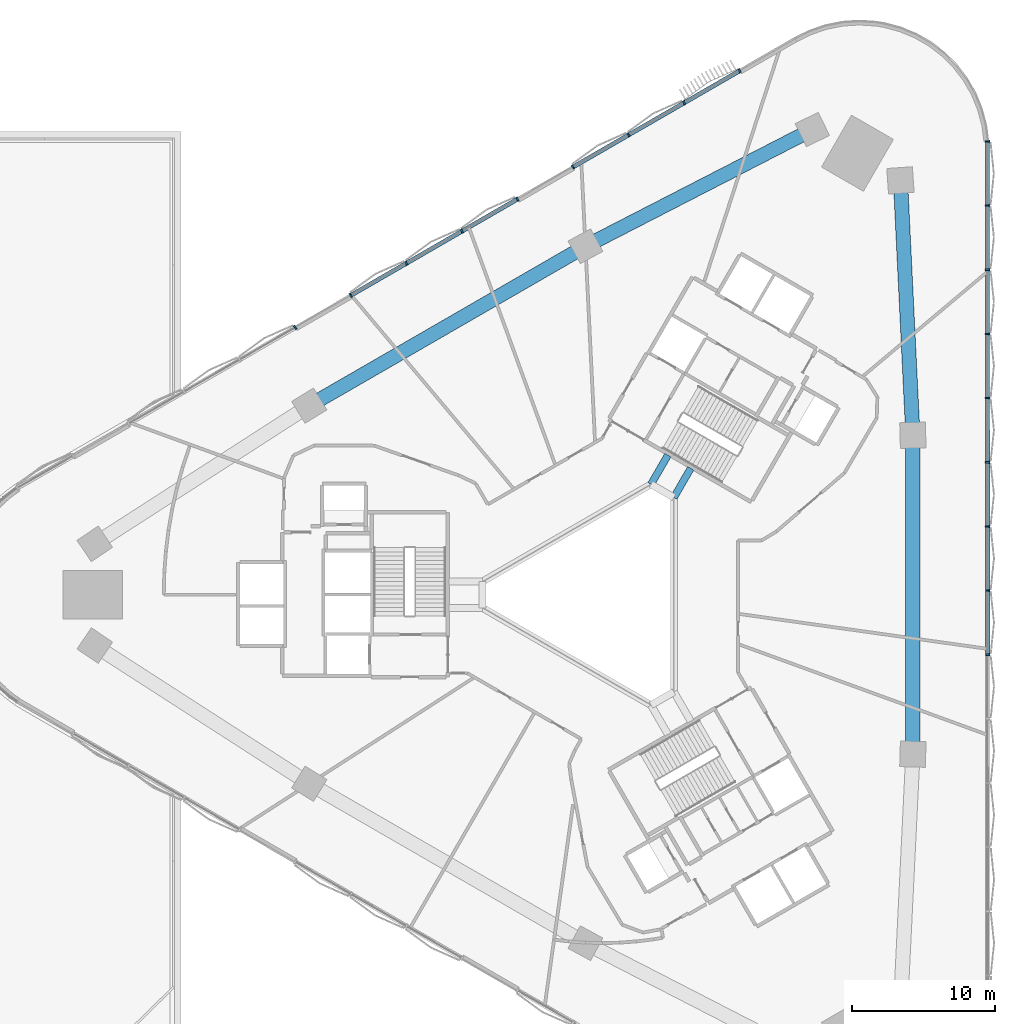
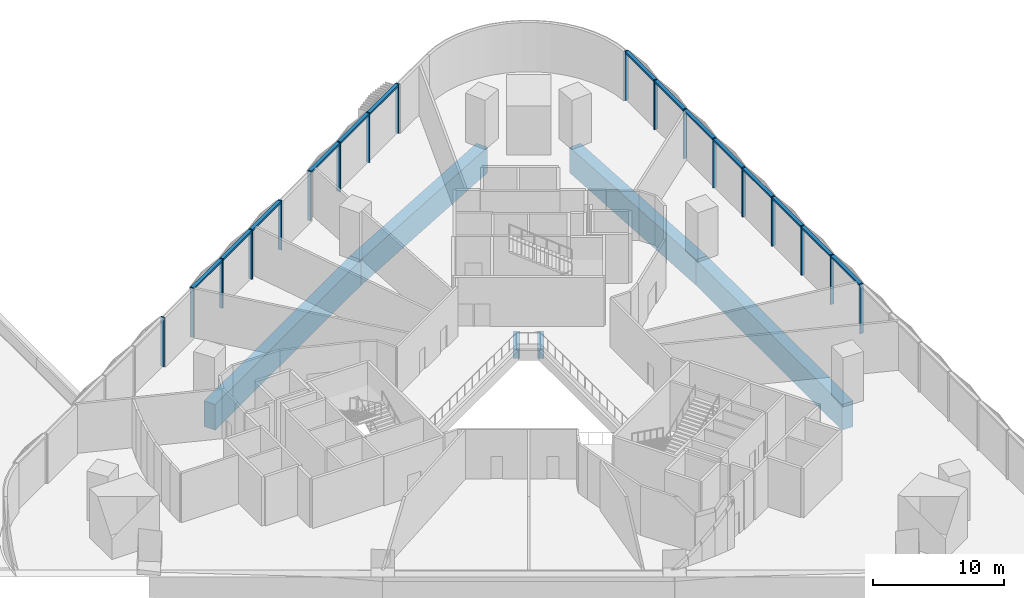
# One storey, part 4 of 14: 23 members, 6 beams, 2 elements without a shape of their own.
"""IFC4 building model written with IfcOpenShell, lengths in metres."""

import ifcopenshell
import ifcopenshell.guid

model = None  # the IFC model being written
_history = None  # IfcOwnerHistory: only IFC2X3 demands one
_inside = {}  # id of a spatial element -> (the spatial element, [elements in it])
_under = {}  # id of a project, library or spatial element -> (it, [spatial elements below it])
_declared = {}  # id of a project -> (the project, [libraries it declares])
_typed = {}  # id of a type object -> (the type object, [elements of that type])
_made_of = {}  # id of a material, layer set ... -> (it, [elements and type objects made of it])


def new_model(schema):
    """Start an empty IFC model of exactly this schema.

    Asked for "IFC4X3", IfcOpenShell would pick the latest addendum, in which some entities
    have other attributes; the version numbers below select the first issue.
    IFC2X3 requires an IfcOwnerHistory on every rooted entity: one is made here for all.
    """
    global model, _history
    if schema == "IFC4X3":
        model = ifcopenshell.file(schema_version=(4, 3, 0, 0))
    else:
        model = ifcopenshell.file(schema=schema)
    _inside.clear()
    _under.clear()
    _declared.clear()
    _typed.clear()
    _made_of.clear()
    _history = None
    if model.schema == "IFC2X3":
        org = make("IfcOrganization", Name="unknown")
        user = make(
            "IfcPersonAndOrganization",
            ThePerson=make("IfcPerson", FamilyName="unknown"),
            TheOrganization=org,
        )
        app = make(
            "IfcApplication",
            ApplicationDeveloper=org,
            Version="unknown",
            ApplicationFullName="unknown",
            ApplicationIdentifier="unknown",
        )
        _history = make(
            "IfcOwnerHistory",
            OwningUser=user,
            OwningApplication=app,
            ChangeAction="ADDED",
            CreationDate=0,
        )
    return model


def make(cls, **values):
    """One entity of the class cls with the attributes given. An attribute that is None is left unset."""
    return model.create_entity(
        cls, **{name: value for name, value in values.items() if value is not None}
    )


def rooted(cls, **values):
    """An entity with a GlobalId (a new one), such as an element, a storey or a relation."""
    return make(cls, GlobalId=ifcopenshell.guid.new(), OwnerHistory=_history, **values)


def si_unit(unit_type, name, prefix=None):
    """IfcSIUnit, for example si_unit("LENGTHUNIT", "METRE", prefix="MILLI")."""
    return make("IfcSIUnit", UnitType=unit_type, Prefix=prefix, Name=name)


def assignment(units):
    """IfcUnitAssignment: the units of a project."""
    return None if units is None else make("IfcUnitAssignment", Units=units)


def point(xyz):
    """IfcCartesianPoint."""
    return None if xyz is None else make("IfcCartesianPoint", Coordinates=xyz)


def direction(xyz):
    """IfcDirection."""
    return None if xyz is None else make("IfcDirection", DirectionRatios=xyz)


def frame(location, z_axis=None, x_axis=None):
    """IfcAxis2Placement3D, a coordinate frame: its origin and axes. An axis left out is left unset."""
    return make(
        "IfcAxis2Placement3D",
        Location=point(location),
        Axis=direction(z_axis),
        RefDirection=direction(x_axis),
    )


def frame_2d(location, x_axis=None):
    """IfcAxis2Placement2D, a coordinate frame in the plane: its origin and x axis."""
    return make(
        "IfcAxis2Placement2D", Location=point(location), RefDirection=direction(x_axis)
    )


def origin():
    """The frame at (0, 0, 0) with its axes left unset."""
    return frame((0.0, 0.0, 0.0))


def origin_2d():
    """The frame at (0, 0) in the plane with its x axis left unset."""
    return frame_2d((0.0, 0.0))


def place(relative_to, where):
    """IfcLocalPlacement: puts the frame where relative to a parent placement (None: the world)."""
    return make(
        "IfcLocalPlacement", PlacementRelTo=relative_to, RelativePlacement=where
    )


def context(
    kind, dimensions, precision=None, world=None, true_north=None, identifier=None
):
    """IfcGeometricRepresentationContext, for example the 3D "Model" context."""
    return make(
        "IfcGeometricRepresentationContext",
        ContextIdentifier=identifier,
        ContextType=kind,
        CoordinateSpaceDimension=dimensions,
        Precision=precision,
        WorldCoordinateSystem=world,
        TrueNorth=true_north,
    )


def subcontext(parent, identifier, kind, view, scale=None):
    """IfcGeometricRepresentationSubContext, for example "Body" below "Model"."""
    return make(
        "IfcGeometricRepresentationSubContext",
        ContextIdentifier=identifier,
        ContextType=kind,
        ParentContext=parent,
        TargetScale=scale,
        TargetView=view,
    )


def project(units=None, contexts=None):
    """IfcProject with its units and contexts."""
    return rooted(
        "IfcProject",
        Name="project",
        RepresentationContexts=contexts,
        UnitsInContext=assignment(units),
    )


def spatial(cls, under=None, at=None, **own):
    """A site, building, storey or space (cls), placed at a placement, below another one or the project."""
    s = rooted(cls, ObjectPlacement=at, **own)
    if under is not None:
        _under.setdefault(under.id(), (under, []))[1].append(s)
    return s


def profile(cls, at=None, kind="AREA", **sizes):
    """A parametric profile (cls). Its sizes go by their IFC names, for example OverallWidth=200.0."""
    return make(cls, ProfileType=kind, Position=at, **sizes)


def rectangle(**sizes):
    """IfcRectangleProfileDef."""
    return profile("IfcRectangleProfileDef", **sizes)


def extrude(swept, where, along, depth):
    """IfcExtrudedAreaSolid: the profile swept, set in the frame where, extruded along a direction by depth."""
    return make(
        "IfcExtrudedAreaSolid",
        SweptArea=swept,
        Position=where,
        ExtrudedDirection=direction(along),
        Depth=depth,
    )


def shape(context_of_items, identifier, shape_type, items):
    """IfcShapeRepresentation: the items that make up one representation, for example the "Body"."""
    return make(
        "IfcShapeRepresentation",
        ContextOfItems=context_of_items,
        RepresentationIdentifier=identifier,
        RepresentationType=shape_type,
        Items=items,
    )


def material(Name=None, Category=None):
    """IfcMaterial."""
    return make("IfcMaterial", Name=Name, Category=Category)


def material_profile(
    of_material, cross_section, Name=None, Category=None, Priority=None
):
    """IfcMaterialProfile: a cross section and its material."""
    return make(
        "IfcMaterialProfile",
        Name=Name,
        Material=of_material,
        Profile=cross_section,
        Priority=Priority,
        Category=Category,
    )


def profile_set(profiles, Name=None, composite=None):
    """IfcMaterialProfileSet."""
    return make(
        "IfcMaterialProfileSet",
        Name=Name,
        MaterialProfiles=profiles,
        CompositeProfile=composite,
    )


def made_of(thing, what):
    """Note that an element or type object is made of a material, layer set ...; save() writes the relation."""
    if what is not None:
        _made_of.setdefault(what.id(), (what, []))[1].append(thing)
    return thing


def type_object(cls, material=None, **own):
    """A type object (cls), such as IfcWallType, which elements share."""
    return made_of(rooted(cls, **own), material)


def element(
    cls,
    number,
    at=None,
    inside=None,
    cuts=None,
    type_object=None,
    material=None,
    context=None,
    identifier="Body",
    shape_type=None,
    held_by="IfcProductDefinitionShape",
    body=None,
    shapes=None,
    **own,
):
    """One element of the class cls, such as IfcWall. Its Tag is "e" and its number.

    at: its placement. inside: the storey or other place that contains it. cuts: it is an
    opening in that element (IfcRelVoidsElement). A single representation is given by context,
    identifier, shape_type and body (its items); several are given by shapes. held_by: the class
    of the entity that holds the representations. save() writes the other relations.
    """
    e = rooted(cls, Tag="e%d" % number, ObjectPlacement=at, **own)
    if body is not None:
        shapes = [shape(context, identifier, shape_type, body)]
    if shapes is not None:
        e.Representation = make(held_by, Representations=shapes)
    if inside is not None:
        _inside.setdefault(inside.id(), (inside, []))[1].append(e)
    if cuts is not None:
        rooted(
            "IfcRelVoidsElement", RelatingBuildingElement=cuts, RelatedOpeningElement=e
        )
    if type_object is not None:
        _typed.setdefault(type_object.id(), (type_object, []))[1].append(e)
    return made_of(e, material)


def aggregate(whole, parts):
    """IfcRelAggregates: a whole, such as a stair, and the parts it consists of."""
    return rooted("IfcRelAggregates", RelatingObject=whole, RelatedObjects=parts)


def save(model, path):
    """Write the relations noted so far, then the file.

    IfcRelAggregates (storeys below a building ...), IfcRelContainedInSpatialStructure (elements
    in a storey), IfcRelDefinesByType, IfcRelAssociatesMaterial and IfcRelDeclares: one each for
    every whole, place, type object, material and project.
    """
    for whole, parts in _under.values():
        aggregate(whole, parts)
    for where, things in _inside.values():
        rooted(
            "IfcRelContainedInSpatialStructure",
            RelatedElements=things,
            RelatingStructure=where,
        )
    for kind, things in _typed.values():
        rooted("IfcRelDefinesByType", RelatedObjects=things, RelatingType=kind)
    for what, things in _made_of.values():
        rooted("IfcRelAssociatesMaterial", RelatedObjects=things, RelatingMaterial=what)
    for by, libraries in _declared.values():
        rooted("IfcRelDeclares", RelatingContext=by, RelatedDefinitions=libraries)
    model.write(path)


model = new_model("IFC4")

# Units and contexts
model_context = context("Model", 3, precision=1e-05, world=origin(), true_north=direction((0.0, 1.0)))
body_context = subcontext(model_context, "Body", "Model", "MODEL_VIEW")
ifc_project = project(units=[si_unit("LENGTHUNIT", "METRE"), si_unit("AREAUNIT", "SQUARE_METRE"), si_unit("VOLUMEUNIT", "CUBIC_METRE"), si_unit("PLANEANGLEUNIT", "RADIAN"), si_unit("MASSUNIT", "GRAM", prefix="KILO")], contexts=[model_context])

# Site, building, storey
site_placement = place(None, origin())
site = spatial("IfcSite", under=ifc_project, at=site_placement, CompositionType="ELEMENT")
building_placement = place(site_placement, origin())
building = spatial("IfcBuilding", under=site, at=building_placement, Name="Tamra Quay Hotel Tower", CompositionType="ELEMENT")
storey_placement = place(building_placement, frame((0.0, 0.0, 24.5)))
storey = spatial("IfcBuildingStorey", under=building, at=storey_placement, Name="L04", CompositionType="ELEMENT", Elevation=24.5)

# Beams
ifc_material_1 = material(Name="Concrete M60", Category="concrete")
ifc_material_profile_1 = material_profile(ifc_material_1, rectangle(XDim=0.5, YDim=0.89990234375, at=origin_2d()), Name="ATRIUM TIE BEAM RC 500x900")
ifc_profile_set_1 = profile_set([ifc_material_profile_1], Name="Concrete M60")
beam_type_1 = type_object("IfcBeamType", Name="ATRIUM TIE BEAM RC 500x900", PredefinedType="BEAM", material=ifc_profile_set_1)
for number, where, z_axis, x_axis, name in (
    (1, (5.0, 6.812744140625, -0.89990234375), (0.500029618126, 0.866008303076, 0.0), (-0.866008303076, 0.500029618126, 0.0), "BM-TIE-0-L04"),
    (2, (3.39990234375, 7.736572265625, -0.89990234375), (0.500029618126, 0.866008303076, 0.0), (-0.866008303076, 0.500029618126, 0.0), "BM-TIE-5-L04"),
):
    element("IfcBeam", number, at=place(storey_placement, frame(where, z_axis=z_axis, x_axis=x_axis)), inside=storey, type_object=beam_type_1, Name=name, PredefinedType="BEAM", context=body_context, shape_type="SweptSolid", body=[
        extrude(rectangle(XDim=0.5, YDim=0.89990234375, at=origin_2d()), origin(), (0.0, 0.0, 1.0), 2.362060546875),
    ])

# Curtain wall, members
ifc_material_2 = material(Name="Aluminium 6063 anodised dark grey", Category="aluminium")
curtain_wall_type = type_object("IfcCurtainWallType", Name="CW4 CURTAIN WALL", PredefinedType="NOTDEFINED", material=ifc_material_2)
curtain_wall_1_placement = place(storey_placement, origin())
curtain_wall_1 = element("IfcCurtainWall", 3, at=curtain_wall_1_placement, inside=storey, type_object=curtain_wall_type, Name="CW4 north-west face L04", PredefinedType="NOTDEFINED")
ifc_material_profile_2 = material_profile(ifc_material_2, rectangle(XDim=0.300048828125, YDim=0.1201171875, at=origin_2d()), Name="MULLION 120X300")
ifc_profile_set_2 = profile_set([ifc_material_profile_2], Name="Aluminium 6063 anodised dark grey")
member_type_1 = type_object("IfcMemberType", Name="MULLION CW4", PredefinedType="MULLION", material=ifc_profile_set_2)
member_1_placement = place(storey_placement, frame((9.607177734375, 36.721923828125, 0.0), z_axis=(0.0, 0.0, 1.0), x_axis=(-0.500265108278, 0.865872289336, 0.0)))
member_1 = element("IfcMember", 4, at=member_1_placement, type_object=member_type_1, Name="CW4 mullion L04.NW.1", PredefinedType="MULLION", context=body_context, shape_type="SweptSolid", body=[
    extrude(rectangle(XDim=0.300048828125, YDim=0.1201171875, at=origin_2d()), origin(), (0.0, 0.0, 1.0), 4.60009765625),
])
member_2_placement = place(storey_placement, frame((5.71435546875, 34.472900390625, 0.0), z_axis=(0.0, 0.0, 1.0), x_axis=(-0.500265108278, 0.865872289336, 0.0)))
member_2 = element("IfcMember", 5, at=member_2_placement, type_object=member_type_1, Name="CW4 mullion L04.NW.2", PredefinedType="MULLION", context=body_context, shape_type="SweptSolid", body=[
    extrude(rectangle(XDim=0.300048828125, YDim=0.1201171875, at=origin_2d()), origin(), (0.0, 0.0, 1.0), 4.60009765625),
])
member_3_placement = place(storey_placement, frame((1.8212890625, 32.2236328125, 0.0), z_axis=(0.0, 0.0, 1.0), x_axis=(-0.500265108278, 0.865872289336, 0.0)))
member_3 = element("IfcMember", 6, at=member_3_placement, type_object=member_type_1, Name="CW4 mullion L04.NW.3", PredefinedType="MULLION", context=body_context, shape_type="SweptSolid", body=[
    extrude(rectangle(XDim=0.300048828125, YDim=0.1201171875, at=origin_2d()), origin(), (0.0, 0.0, 1.0), 4.60009765625),
])
member_4_placement = place(storey_placement, frame((-2.071533203125, 29.974609375, 0.0), z_axis=(0.0, 0.0, 1.0), x_axis=(-0.500265108278, 0.865872289336, 0.0)))
member_4 = element("IfcMember", 7, at=member_4_placement, type_object=member_type_1, Name="CW4 mullion L04.NW.4", PredefinedType="MULLION", context=body_context, shape_type="SweptSolid", body=[
    extrude(rectangle(XDim=0.300048828125, YDim=0.1201171875, at=origin_2d()), origin(), (0.0, 0.0, 1.0), 4.60009765625),
])
member_5_placement = place(storey_placement, frame((-5.96435546875, 27.725341796875, 0.0), z_axis=(0.0, 0.0, 1.0), x_axis=(-0.500265108278, 0.865872289336, 0.0)))
member_5 = element("IfcMember", 8, at=member_5_placement, type_object=member_type_1, Name="CW4 mullion L04.NW.4", PredefinedType="MULLION", context=body_context, shape_type="SweptSolid", body=[
    extrude(rectangle(XDim=0.300048828125, YDim=0.1201171875, at=origin_2d()), origin(), (0.0, 0.0, 1.0), 4.60009765625),
])
member_6_placement = place(storey_placement, frame((-9.857177734375, 25.476318359375, 0.0), z_axis=(0.0, 0.0, 1.0), x_axis=(-0.500265108278, 0.865872289336, 0.0)))
member_6 = element("IfcMember", 9, at=member_6_placement, type_object=member_type_1, Name="CW4 mullion L04.NW.5", PredefinedType="MULLION", context=body_context, shape_type="SweptSolid", body=[
    extrude(rectangle(XDim=0.300048828125, YDim=0.1201171875, at=origin_2d()), origin(), (0.0, 0.0, 1.0), 4.60009765625),
])
member_7_placement = place(storey_placement, frame((-13.75, 23.227294921875, 0.0), z_axis=(0.0, 0.0, 1.0), x_axis=(-0.500265108278, 0.865872289336, 0.0)))
member_7 = element("IfcMember", 10, at=member_7_placement, type_object=member_type_1, Name="CW4 mullion L04.NW.6", PredefinedType="MULLION", context=body_context, shape_type="SweptSolid", body=[
    extrude(rectangle(XDim=0.300048828125, YDim=0.1201171875, at=origin_2d()), origin(), (0.0, 0.0, 1.0), 4.60009765625),
])
member_8_placement = place(storey_placement, frame((-17.642822265625, 20.97802734375, 0.0), z_axis=(0.0, 0.0, 1.0), x_axis=(-0.500265108278, 0.865872289336, 0.0)))
member_8 = element("IfcMember", 11, at=member_8_placement, type_object=member_type_1, Name="CW4 mullion L04.NW.7", PredefinedType="MULLION", context=body_context, shape_type="SweptSolid", body=[
    extrude(rectangle(XDim=0.300048828125, YDim=0.1201171875, at=origin_2d()), origin(), (0.0, 0.0, 1.0), 4.60009765625),
])
member_9_placement = place(storey_placement, frame((-21.535888671875, 18.72900390625, 0.0), z_axis=(0.0, 0.0, 1.0), x_axis=(-0.500265108278, 0.865872289336, 0.0)))
member_9 = element("IfcMember", 12, at=member_9_placement, type_object=member_type_1, Name="CW4 mullion L04.NW.7", PredefinedType="MULLION", context=body_context, shape_type="SweptSolid", body=[
    extrude(rectangle(XDim=0.300048828125, YDim=0.1201171875, at=origin_2d()), origin(), (0.0, 0.0, 1.0), 4.60009765625),
])

curtain_wall_2_placement = place(storey_placement, origin())
curtain_wall_2 = element("IfcCurtainWall", 13, at=curtain_wall_2_placement, inside=storey, type_object=curtain_wall_type, Name="CW4 east face L04", PredefinedType="NOTDEFINED")
member_10_placement = place(storey_placement, frame((26.99169921875, -4.20166015625, 0.0), z_axis=(0.0, 0.0, 1.0), x_axis=(0.999999953137, 0.000306147728, 0.0)))
member_10 = element("IfcMember", 14, at=member_10_placement, type_object=member_type_1, Name="CW4 mullion L04.E.7", PredefinedType="MULLION", context=body_context, shape_type="SweptSolid", body=[
    extrude(rectangle(XDim=0.300048828125, YDim=0.1201171875, at=origin_2d()), origin(), (0.0, 0.0, 1.0), 4.60009765625),
])
member_11_placement = place(storey_placement, frame((26.990478515625, 0.29443359375, 0.0), z_axis=(0.0, 0.0, 1.0), x_axis=(0.999999953137, 0.000306147728, 0.0)))
member_11 = element("IfcMember", 15, at=member_11_placement, type_object=member_type_1, Name="CW4 mullion L04.E.8", PredefinedType="MULLION", context=body_context, shape_type="SweptSolid", body=[
    extrude(rectangle(XDim=0.300048828125, YDim=0.1201171875, at=origin_2d()), origin(), (0.0, 0.0, 1.0), 4.60009765625),
])
member_12_placement = place(storey_placement, frame((26.989013671875, 4.790283203125, 0.0), z_axis=(0.0, 0.0, 1.0), x_axis=(0.999999953137, 0.000306147728, 0.0)))
member_12 = element("IfcMember", 16, at=member_12_placement, type_object=member_type_1, Name="CW4 mullion L04.E.9", PredefinedType="MULLION", context=body_context, shape_type="SweptSolid", body=[
    extrude(rectangle(XDim=0.300048828125, YDim=0.1201171875, at=origin_2d()), origin(), (0.0, 0.0, 1.0), 4.60009765625),
])
member_13_placement = place(storey_placement, frame((26.987548828125, 9.2861328125, 0.0), z_axis=(0.0, 0.0, 1.0), x_axis=(0.999999953137, 0.000306147728, 0.0)))
member_13 = element("IfcMember", 17, at=member_13_placement, type_object=member_type_1, Name="CW4 mullion L04.E.10", PredefinedType="MULLION", context=body_context, shape_type="SweptSolid", body=[
    extrude(rectangle(XDim=0.300048828125, YDim=0.1201171875, at=origin_2d()), origin(), (0.0, 0.0, 1.0), 4.60009765625),
])
member_14_placement = place(storey_placement, frame((26.986328125, 13.781982421875, 0.0), z_axis=(0.0, 0.0, 1.0), x_axis=(0.999999953137, 0.000306147728, 0.0)))
member_14 = element("IfcMember", 18, at=member_14_placement, type_object=member_type_1, Name="CW4 mullion L04.E.11", PredefinedType="MULLION", context=body_context, shape_type="SweptSolid", body=[
    extrude(rectangle(XDim=0.300048828125, YDim=0.1201171875, at=origin_2d()), origin(), (0.0, 0.0, 1.0), 4.60009765625),
])
member_15_placement = place(storey_placement, frame((26.98486328125, 18.27783203125, 0.0), z_axis=(0.0, 0.0, 1.0), x_axis=(0.999999953137, 0.000306147728, 0.0)))
member_15 = element("IfcMember", 19, at=member_15_placement, type_object=member_type_1, Name="CW4 mullion L04.E.12", PredefinedType="MULLION", context=body_context, shape_type="SweptSolid", body=[
    extrude(rectangle(XDim=0.300048828125, YDim=0.1201171875, at=origin_2d()), origin(), (0.0, 0.0, 1.0), 4.60009765625),
])
member_16_placement = place(storey_placement, frame((26.9833984375, 22.773681640625, 0.0), z_axis=(0.0, 0.0, 1.0), x_axis=(0.999999953137, 0.000306147728, 0.0)))
member_16 = element("IfcMember", 20, at=member_16_placement, type_object=member_type_1, Name="CW4 mullion L04.E.13", PredefinedType="MULLION", context=body_context, shape_type="SweptSolid", body=[
    extrude(rectangle(XDim=0.300048828125, YDim=0.1201171875, at=origin_2d()), origin(), (0.0, 0.0, 1.0), 4.60009765625),
])
member_17_placement = place(storey_placement, frame((26.982177734375, 27.26953125, 0.0), z_axis=(0.0, 0.0, 1.0), x_axis=(0.999999953137, 0.000306147728, 0.0)))
member_17 = element("IfcMember", 21, at=member_17_placement, type_object=member_type_1, Name="CW4 mullion L04.E.14", PredefinedType="MULLION", context=body_context, shape_type="SweptSolid", body=[
    extrude(rectangle(XDim=0.300048828125, YDim=0.1201171875, at=origin_2d()), origin(), (0.0, 0.0, 1.0), 4.60009765625),
])
member_18_placement = place(storey_placement, frame((26.980712890625, 31.765625, 0.0), z_axis=(0.0, 0.0, 1.0), x_axis=(0.997848900039, 0.065555874578, 0.0)))
member_18 = element("IfcMember", 22, at=member_18_placement, type_object=member_type_1, Name="CW4 mullion L04.E.15", PredefinedType="MULLION", context=body_context, shape_type="SweptSolid", body=[
    extrude(rectangle(XDim=0.300048828125, YDim=0.1201171875, at=origin_2d()), origin(), (0.0, 0.0, 1.0), 4.60009765625),
])

# Beams
ifc_material_profile_3 = material_profile(ifc_material_1, rectangle(XDim=1.0, YDim=2.39990234375, at=origin_2d()), Name="PODIUM RING GIRDER RC 1000x2400")
ifc_profile_set_3 = profile_set([ifc_material_profile_3], Name="Concrete M60")
beam_type_2 = type_object("IfcBeamType", Name="PODIUM RING GIRDER RC 1000x2400", PredefinedType="BEAM", material=ifc_profile_set_3)
beam_1_placement = place(storey_placement, frame((21.7490234375, -11.17431640625, -1.64990234375), z_axis=(0.0, 1.0, 0.0), x_axis=(-1.0, 0.0, 0.0)))
element("IfcBeam", 23, at=beam_1_placement, inside=storey, type_object=beam_type_2, Name="BM-PG002-L04", PredefinedType="BEAM", context=body_context, shape_type="SweptSolid", body=[
    extrude(rectangle(XDim=1.0, YDim=2.39990234375, at=origin_2d()), origin(), (0.0, 0.0, 1.0), 22.3486328125),
])
beam_2_placement = place(storey_placement, frame((21.7490234375, 11.17431640625, -1.64990234375), z_axis=(-0.048662088022, 0.998815298836, 0.0), x_axis=(-0.998815298836, -0.048662088022, 0.0)))
element("IfcBeam", 24, at=beam_2_placement, inside=storey, type_object=beam_type_2, Name="BM-PG003-L04", PredefinedType="BEAM", context=body_context, shape_type="SweptSolid", body=[
    extrude(rectangle(XDim=1.0, YDim=2.39990234375, at=origin_2d()), origin(), (0.0, 0.0, 1.0), 17.880859375),
])
beam_3_placement = place(storey_placement, frame((14.70458984375, 32.5986328125, -1.64990234375), z_axis=(-0.889334920836, -0.457256381673, 0.0), x_axis=(0.457256381673, -0.889334920836, 0.0)))
element("IfcBeam", 25, at=beam_3_placement, inside=storey, type_object=beam_type_2, Name="BM-PG004-L04", PredefinedType="BEAM", context=body_context, shape_type="SweptSolid", body=[
    extrude(rectangle(XDim=1.0, YDim=2.39990234375, at=origin_2d()), origin(), (0.0, 0.0, 1.0), 17.880615234375),
])
beam_4_placement = place(storey_placement, frame((-1.197265625, 24.422607421875, -1.64990234375), z_axis=(-0.866023498866, -0.500003299401, 0.0), x_axis=(0.500003299401, -0.866023498866, 0.0)))
element("IfcBeam", 26, at=beam_4_placement, inside=storey, type_object=beam_type_2, Name="BM-PG005-L04", PredefinedType="BEAM", context=body_context, shape_type="SweptSolid", body=[
    extrude(rectangle(XDim=1.0, YDim=2.39990234375, at=origin_2d()), origin(), (0.0, 0.0, 1.0), 22.348876953125),
])

# Member
ifc_material_profile_4 = material_profile(ifc_material_2, rectangle(XDim=0.300048828125, YDim=0.179931640625, at=origin_2d()), Name="TRANSOM 300X180")
ifc_profile_set_4 = profile_set([ifc_material_profile_4], Name="Aluminium 6063 anodised dark grey")
member_type_2 = type_object("IfcMemberType", Name="TRANSOM CW4", PredefinedType="USERDEFINED", material=ifc_profile_set_4)
member_19_placement = place(storey_placement, frame((9.55517578125, 36.69189453125, 4.510009765625), z_axis=(-0.865876500437, -0.50025781952, 0.0), x_axis=(0.50025781952, -0.865876500437, 0.0)))
member_19 = element("IfcMember", 27, at=member_19_placement, type_object=member_type_2, Name="CW4 transom L04.NW.1", ObjectType="TRANSOM", PredefinedType="USERDEFINED", context=body_context, shape_type="SweptSolid", body=[
    extrude(rectangle(XDim=0.300048828125, YDim=0.179931640625, at=origin_2d()), origin(), (0.0, 0.0, 1.0), 13.36767578125),
])

member_20_placement = place(storey_placement, frame((-6.016357421875, 27.695556640625, 4.510009765625), z_axis=(-0.86586858932, -0.500271512311, 0.0), x_axis=(0.500271512311, -0.86586858932, 0.0)))
member_20 = element("IfcMember", 28, at=member_20_placement, type_object=member_type_2, Name="CW4 transom L04.NW.4", ObjectType="TRANSOM", PredefinedType="USERDEFINED", context=body_context, shape_type="SweptSolid", body=[
    extrude(rectangle(XDim=0.300048828125, YDim=0.179931640625, at=origin_2d()), origin(), (0.0, 0.0, 1.0), 13.36767578125),
])

aggregate(curtain_wall_1, [member_1, member_19, member_2, member_3, member_4, member_5, member_20, member_6, member_7, member_8, member_9])

member_21_placement = place(storey_placement, frame((26.99169921875, -4.1416015625, 4.510009765625), z_axis=(-0.000310479585, 0.999999951801, 0.0), x_axis=(-0.999999951801, -0.000310479585, 0.0)))
member_21 = element("IfcMember", 29, at=member_21_placement, type_object=member_type_2, Name="CW4 transom L04.E.7", ObjectType="TRANSOM", PredefinedType="USERDEFINED", context=body_context, shape_type="SweptSolid", body=[
    extrude(rectangle(XDim=0.300048828125, YDim=0.179931640625, at=origin_2d()), origin(), (0.0, 0.0, 1.0), 13.36767578125),
])

member_22_placement = place(storey_placement, frame((26.987548828125, 9.34619140625, 4.510009765625), z_axis=(-0.000310479585, 0.999999951801, 0.0), x_axis=(-0.999999951801, -0.000310479585, 0.0)))
member_22 = element("IfcMember", 30, at=member_22_placement, type_object=member_type_2, Name="CW4 transom L04.E.10", ObjectType="TRANSOM", PredefinedType="USERDEFINED", context=body_context, shape_type="SweptSolid", body=[
    extrude(rectangle(XDim=0.300048828125, YDim=0.179931640625, at=origin_2d()), origin(), (0.0, 0.0, 1.0), 13.36767578125),
])

member_23_placement = place(storey_placement, frame((26.9833984375, 22.833740234375, 4.510009765625), z_axis=(-0.000302705069, 0.999999954185, 0.0), x_axis=(-0.999999954185, -0.000302705069, 0.0)))
member_23 = element("IfcMember", 31, at=member_23_placement, type_object=member_type_2, Name="CW4 transom L04.E.13", ObjectType="TRANSOM", PredefinedType="USERDEFINED", context=body_context, shape_type="SweptSolid", body=[
    extrude(rectangle(XDim=0.300048828125, YDim=0.179931640625, at=origin_2d()), origin(), (0.0, 0.0, 1.0), 8.871826171875),
])

aggregate(curtain_wall_2, [member_10, member_21, member_11, member_12, member_13, member_22, member_14, member_15, member_16, member_23, member_17, member_18])

save(model, "model.ifc")
